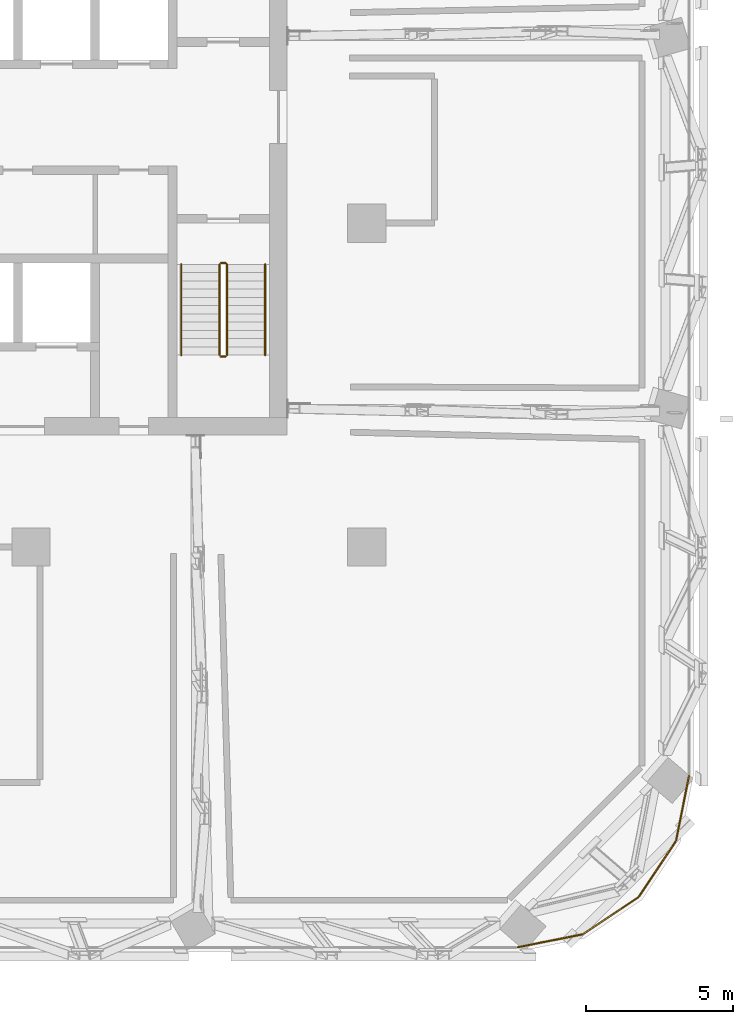
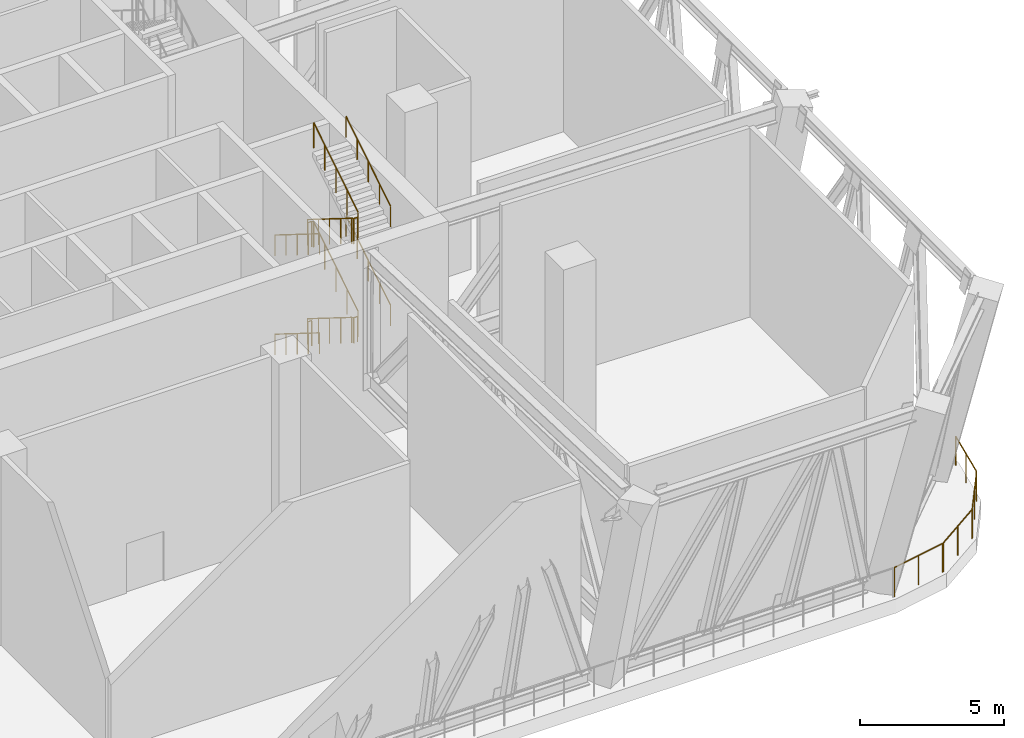
# One storey, part 20 of 24: 13 railings.
"""IFC4 building model written with IfcOpenShell, lengths in metres."""

from ifc_helpers import new_model, si_unit, direction, frame, origin, origin_2d, place, context, subcontext, project, spatial, circle, extrude, material, type_object, element, save


model = new_model("IFC4")

# Units and contexts
model_context = context("Model", 3, precision=1e-05, world=origin(), true_north=direction((0.0, 1.0)))
body_context = subcontext(model_context, "Body", "Model", "MODEL_VIEW")
ifc_project = project(units=[si_unit("LENGTHUNIT", "METRE"), si_unit("AREAUNIT", "SQUARE_METRE"), si_unit("VOLUMEUNIT", "CUBIC_METRE"), si_unit("PLANEANGLEUNIT", "RADIAN"), si_unit("MASSUNIT", "GRAM", prefix="KILO")], contexts=[model_context])

# Site, building, storey
site_placement = place(None, origin())
site = spatial("IfcSite", under=ifc_project, at=site_placement, CompositionType="ELEMENT")
building_placement = place(site_placement, origin())
building = spatial("IfcBuilding", under=site, at=building_placement, Name="Mopane Tessera Tower", CompositionType="ELEMENT")
storey_placement = place(building_placement, frame((0.0, 0.0, 259.0)))
storey = spatial("IfcBuildingStorey", under=building, at=storey_placement, Name="L56", CompositionType="ELEMENT", Elevation=259.0)

# Railings
ifc_material_1 = material(Name="Powder-coated steel balustrade", Category="steel")
railing_type_1 = type_object("IfcRailingType", Name="Escape stair guard 1100 mm", PredefinedType="GUARDRAIL", material=ifc_material_1)
railing_1_placement = place(storey_placement, frame((12.10009765625, -1.39990234375, 0.175048828125)))
element("IfcRailing", 1, at=railing_1_placement, inside=storey, type_object=railing_type_1, Name="L56 ST3 stair guard 1", PredefinedType="GUARDRAIL", context=body_context, shape_type="SweptSolid", body=[
    extrude(circle(Radius=0.02392578125, at=origin_2d()), frame((0.0, 0.0, 1.076171875), z_axis=(0.0, -0.847998304005, 0.529998940003), x_axis=(1.0, 0.0, 0.0)), (0.0, 0.0, 1.0), 3.632080078125),
    extrude(circle(Radius=0.02392578125, at=origin_2d()), frame((0.0, -3.080078125, 3.0009765625), z_axis=(0.705375805398, -0.708833529934, 0.0), x_axis=(0.708833529934, 0.705375805398, 0.0)), (0.0, 0.0, 1.0), 0.070556640625),
    extrude(circle(Radius=0.02392578125, at=origin_2d()), frame((0.0498046875, -3.130126953125, 3.0009765625), z_axis=(1.0, 0.0, 0.0), x_axis=(0.0, 1.0, 0.0)), (0.0, 0.0, 1.0), 0.150146484375),
    extrude(circle(Radius=0.02099609375, at=origin_2d()), origin(), (0.0, 0.0, 1.0), 1.052001953125),
    extrude(circle(Radius=0.02099609375, at=origin_2d()), frame((0.0, -0.77001953125, 0.481201171875)), (0.0, 0.0, 1.0), 1.052001953125),
    extrude(circle(Radius=0.02099609375, at=origin_2d()), frame((0.0, -1.5400390625, 0.96240234375)), (0.0, 0.0, 1.0), 1.052001953125),
    extrude(circle(Radius=0.02099609375, at=origin_2d()), frame((0.0, -2.31005859375, 1.44384765625)), (0.0, 0.0, 1.0), 1.052001953125),
    extrude(circle(Radius=0.02099609375, at=origin_2d()), frame((0.0, -3.080078125, 1.925048828125)), (0.0, 0.0, 1.0), 1.052001953125),
    extrude(circle(Radius=0.02099609375, at=origin_2d()), frame((0.0498046875, -3.130126953125, 1.925048828125)), (0.0, 0.0, 1.0), 1.052001953125),
    extrude(circle(Radius=0.02099609375, at=origin_2d()), frame((0.199951171875, -3.130126953125, 1.925048828125)), (0.0, 0.0, 1.0), 1.052001953125),
])
railing_2_placement = place(storey_placement, frame((12.35009765625, -4.47998046875, 2.27490234375)))
element("IfcRailing", 2, at=railing_2_placement, inside=storey, type_object=railing_type_1, Name="L56 ST3 stair guard 2", PredefinedType="GUARDRAIL", context=body_context, shape_type="SweptSolid", body=[
    extrude(circle(Radius=0.02392578125, at=origin_2d()), frame((0.0, 0.0, 1.076171875), z_axis=(0.0, 0.847998304005, 0.529998940003), x_axis=(-1.0, 0.0, 0.0)), (0.0, 0.0, 1.0), 3.632080078125),
    extrude(circle(Radius=0.02392578125, at=origin_2d()), frame((0.0, 3.080078125, 3.0009765625), z_axis=(-0.708833529934, 0.705375805398, 0.0), x_axis=(-0.705375805398, -0.708833529934, 0.0)), (0.0, 0.0, 1.0), 0.070556640625),
    extrude(circle(Radius=0.02392578125, at=origin_2d()), frame((-0.050048828125, 3.1298828125, 3.0009765625), z_axis=(-1.0, 0.0, 0.0), x_axis=(0.0, -1.0, 0.0)), (0.0, 0.0, 1.0), 0.150146484375),
    extrude(circle(Radius=0.02099609375, at=origin_2d()), origin(), (0.0, 0.0, 1.0), 1.052001953125),
    extrude(circle(Radius=0.02099609375, at=origin_2d()), frame((0.0, 0.77001953125, 0.481201171875)), (0.0, 0.0, 1.0), 1.052001953125),
    extrude(circle(Radius=0.02099609375, at=origin_2d()), frame((0.0, 1.5400390625, 0.96240234375)), (0.0, 0.0, 1.0), 1.052001953125),
    extrude(circle(Radius=0.02099609375, at=origin_2d()), frame((0.0, 2.31005859375, 1.44384765625)), (0.0, 0.0, 1.0), 1.052001953125),
    extrude(circle(Radius=0.02099609375, at=origin_2d()), frame((0.0, 3.080078125, 1.925048828125)), (0.0, 0.0, 1.0), 1.052001953125),
    extrude(circle(Radius=0.02099609375, at=origin_2d()), frame((-0.050048828125, 3.1298828125, 1.925048828125)), (0.0, 0.0, 1.0), 1.052001953125),
    extrude(circle(Radius=0.02099609375, at=origin_2d()), frame((-0.2001953125, 3.1298828125, 1.925048828125)), (0.0, 0.0, 1.0), 1.052001953125),
])
railing_3_placement = place(storey_placement, frame((12.10009765625, -1.39990234375, 4.375)))
element("IfcRailing", 3, at=railing_3_placement, inside=storey, type_object=railing_type_1, Name="L56 ST3 stair guard 3", PredefinedType="GUARDRAIL", context=body_context, shape_type="SweptSolid", body=[
    extrude(circle(Radius=0.02392578125, at=origin_2d()), frame((0.0, 0.0, 1.076171875), z_axis=(0.0, -0.847998304005, 0.529998940003), x_axis=(1.0, 0.0, 0.0)), (0.0, 0.0, 1.0), 3.632080078125),
    extrude(circle(Radius=0.02392578125, at=origin_2d()), frame((0.0, -3.080078125, 3.0009765625), z_axis=(0.705375805398, -0.708833529934, 0.0), x_axis=(0.708833529934, 0.705375805398, 0.0)), (0.0, 0.0, 1.0), 0.070556640625),
    extrude(circle(Radius=0.02392578125, at=origin_2d()), frame((0.0498046875, -3.130126953125, 3.0009765625), z_axis=(1.0, 0.0, 0.0), x_axis=(0.0, 1.0, 0.0)), (0.0, 0.0, 1.0), 0.150146484375),
    extrude(circle(Radius=0.02099609375, at=origin_2d()), origin(), (0.0, 0.0, 1.0), 1.052001953125),
    extrude(circle(Radius=0.02099609375, at=origin_2d()), frame((0.0, -0.77001953125, 0.481201171875)), (0.0, 0.0, 1.0), 1.052001953125),
    extrude(circle(Radius=0.02099609375, at=origin_2d()), frame((0.0, -1.5400390625, 0.96240234375)), (0.0, 0.0, 1.0), 1.052001953125),
    extrude(circle(Radius=0.02099609375, at=origin_2d()), frame((0.0, -2.31005859375, 1.44384765625)), (0.0, 0.0, 1.0), 1.052001953125),
    extrude(circle(Radius=0.02099609375, at=origin_2d()), frame((0.0, -3.080078125, 1.925048828125)), (0.0, 0.0, 1.0), 1.052001953125),
    extrude(circle(Radius=0.02099609375, at=origin_2d()), frame((0.0498046875, -3.130126953125, 1.925048828125)), (0.0, 0.0, 1.0), 1.052001953125),
    extrude(circle(Radius=0.02099609375, at=origin_2d()), frame((0.199951171875, -3.130126953125, 1.925048828125)), (0.0, 0.0, 1.0), 1.052001953125),
])
railing_4_placement = place(storey_placement, frame((12.35009765625, -4.47998046875, 6.47509765625)))
element("IfcRailing", 4, at=railing_4_placement, inside=storey, type_object=railing_type_1, Name="L56 ST3 stair guard 4", PredefinedType="GUARDRAIL", context=body_context, shape_type="SweptSolid", body=[
    extrude(circle(Radius=0.02392578125, at=origin_2d()), frame((0.0, 0.0, 1.076171875), z_axis=(0.0, 0.848028513186, 0.529950602248), x_axis=(-1.0, 0.0, 0.0)), (0.0, 0.0, 1.0), 3.632080078125),
    extrude(circle(Radius=0.02099609375, at=origin_2d()), origin(), (0.0, 0.0, 1.0), 1.052001953125),
    extrude(circle(Radius=0.02099609375, at=origin_2d()), frame((0.0, 0.77001953125, 0.481201171875)), (0.0, 0.0, 1.0), 1.052001953125),
    extrude(circle(Radius=0.02099609375, at=origin_2d()), frame((0.0, 1.5400390625, 0.96240234375)), (0.0, 0.0, 1.0), 1.052001953125),
    extrude(circle(Radius=0.02099609375, at=origin_2d()), frame((0.0, 2.31005859375, 1.443603515625)), (0.0, 0.0, 1.0), 1.052001953125),
    extrude(circle(Radius=0.02099609375, at=origin_2d()), frame((0.0, 3.080078125, 1.9248046875)), (0.0, 0.0, 1.0), 1.052001953125),
])
railing_5_placement = place(storey_placement, frame((12.14990234375, -1.35009765625, 0.0)))
element("IfcRailing", 5, at=railing_5_placement, inside=storey, type_object=railing_type_1, Name="L56 ST3 stair guard 5", PredefinedType="GUARDRAIL", context=body_context, shape_type="SweptSolid", body=[
    extrude(circle(Radius=0.02392578125, at=origin_2d()), frame((0.0, 0.0, 1.076171875), z_axis=(1.0, 0.0, 0.0), x_axis=(0.0, 1.0, 0.0)), (0.0, 0.0, 1.0), 0.150146484375),
    extrude(circle(Radius=0.02099609375, at=origin_2d()), origin(), (0.0, 0.0, 1.0), 1.052001953125),
    extrude(circle(Radius=0.02099609375, at=origin_2d()), frame((0.150146484375, 0.0, 0.0)), (0.0, 0.0, 1.0), 1.052001953125),
])
ifc_material_2 = material(Name="Powder-coated steel balustrade", Category="steel")
railing_type_2 = type_object("IfcRailingType", Name="Escape stair handrail 900 mm", PredefinedType="HANDRAIL", material=ifc_material_2)
railing_6_placement = place(storey_placement, frame((10.800048828125, -1.39990234375, 0.175048828125)))
element("IfcRailing", 6, at=railing_6_placement, inside=storey, type_object=railing_type_2, Name="L56 ST3 stair handrail 1", PredefinedType="HANDRAIL", context=body_context, shape_type="SweptSolid", body=[
    extrude(circle(Radius=0.02392578125, at=origin_2d()), frame((0.0, 0.0, 0.8759765625), z_axis=(0.0, -0.847998304005, 0.529998940003), x_axis=(1.0, 0.0, 0.0)), (0.0, 0.0, 1.0), 3.632080078125),
    extrude(circle(Radius=0.02099609375, at=origin_2d()), origin(), (0.0, 0.0, 1.0), 0.851806640625),
    extrude(circle(Radius=0.02099609375, at=origin_2d()), frame((0.0, -0.77001953125, 0.481201171875)), (0.0, 0.0, 1.0), 0.851806640625),
    extrude(circle(Radius=0.02099609375, at=origin_2d()), frame((0.0, -1.5400390625, 0.96240234375)), (0.0, 0.0, 1.0), 0.851806640625),
    extrude(circle(Radius=0.02099609375, at=origin_2d()), frame((0.0, -2.31005859375, 1.44384765625)), (0.0, 0.0, 1.0), 0.851806640625),
    extrude(circle(Radius=0.02099609375, at=origin_2d()), frame((0.0, -3.080078125, 1.925048828125)), (0.0, 0.0, 1.0), 0.851806640625),
])
railing_7_placement = place(storey_placement, frame((13.64990234375, -4.47998046875, 2.27490234375)))
element("IfcRailing", 7, at=railing_7_placement, inside=storey, type_object=railing_type_2, Name="L56 ST3 stair handrail 2", PredefinedType="HANDRAIL", context=body_context, shape_type="SweptSolid", body=[
    extrude(circle(Radius=0.02392578125, at=origin_2d()), frame((0.0, 0.0, 0.8759765625), z_axis=(0.0, 0.847998304005, 0.529998940003), x_axis=(-1.0, 0.0, 0.0)), (0.0, 0.0, 1.0), 3.632080078125),
    extrude(circle(Radius=0.02099609375, at=origin_2d()), origin(), (0.0, 0.0, 1.0), 0.851806640625),
    extrude(circle(Radius=0.02099609375, at=origin_2d()), frame((0.0, 0.77001953125, 0.481201171875)), (0.0, 0.0, 1.0), 0.851806640625),
    extrude(circle(Radius=0.02099609375, at=origin_2d()), frame((0.0, 1.5400390625, 0.96240234375)), (0.0, 0.0, 1.0), 0.851806640625),
    extrude(circle(Radius=0.02099609375, at=origin_2d()), frame((0.0, 2.31005859375, 1.44384765625)), (0.0, 0.0, 1.0), 0.851806640625),
    extrude(circle(Radius=0.02099609375, at=origin_2d()), frame((0.0, 3.080078125, 1.925048828125)), (0.0, 0.0, 1.0), 0.851806640625),
])
railing_8_placement = place(storey_placement, frame((10.800048828125, -1.39990234375, 4.375)))
element("IfcRailing", 8, at=railing_8_placement, inside=storey, type_object=railing_type_2, Name="L56 ST3 stair handrail 3", PredefinedType="HANDRAIL", context=body_context, shape_type="SweptSolid", body=[
    extrude(circle(Radius=0.02392578125, at=origin_2d()), frame((0.0, 0.0, 0.8759765625), z_axis=(0.0, -0.847998304005, 0.529998940003), x_axis=(1.0, 0.0, 0.0)), (0.0, 0.0, 1.0), 3.632080078125),
    extrude(circle(Radius=0.02099609375, at=origin_2d()), origin(), (0.0, 0.0, 1.0), 0.851806640625),
    extrude(circle(Radius=0.02099609375, at=origin_2d()), frame((0.0, -0.77001953125, 0.481201171875)), (0.0, 0.0, 1.0), 0.851806640625),
    extrude(circle(Radius=0.02099609375, at=origin_2d()), frame((0.0, -1.5400390625, 0.96240234375)), (0.0, 0.0, 1.0), 0.851806640625),
    extrude(circle(Radius=0.02099609375, at=origin_2d()), frame((0.0, -2.31005859375, 1.44384765625)), (0.0, 0.0, 1.0), 0.851806640625),
    extrude(circle(Radius=0.02099609375, at=origin_2d()), frame((0.0, -3.080078125, 1.925048828125)), (0.0, 0.0, 1.0), 0.851806640625),
])
railing_9_placement = place(storey_placement, frame((13.64990234375, -4.47998046875, 6.47509765625)))
element("IfcRailing", 9, at=railing_9_placement, inside=storey, type_object=railing_type_2, Name="L56 ST3 stair handrail 4", PredefinedType="HANDRAIL", context=body_context, shape_type="SweptSolid", body=[
    extrude(circle(Radius=0.02392578125, at=origin_2d()), frame((0.0, 0.0, 0.8759765625), z_axis=(0.0, 0.848028513186, 0.529950602248), x_axis=(-1.0, 0.0, 0.0)), (0.0, 0.0, 1.0), 3.632080078125),
    extrude(circle(Radius=0.02099609375, at=origin_2d()), origin(), (0.0, 0.0, 1.0), 0.851806640625),
    extrude(circle(Radius=0.02099609375, at=origin_2d()), frame((0.0, 0.77001953125, 0.481201171875)), (0.0, 0.0, 1.0), 0.851806640625),
    extrude(circle(Radius=0.02099609375, at=origin_2d()), frame((0.0, 1.5400390625, 0.96240234375)), (0.0, 0.0, 1.0), 0.851806640625),
    extrude(circle(Radius=0.02099609375, at=origin_2d()), frame((0.0, 2.31005859375, 1.443603515625)), (0.0, 0.0, 1.0), 0.851806640625),
    extrude(circle(Radius=0.02099609375, at=origin_2d()), frame((0.0, 3.080078125, 1.9248046875)), (0.0, 0.0, 1.0), 0.851806640625),
])
ifc_material_3 = material(Name="Stainless steel S316", Category="steel")
railing_type_3 = type_object("IfcRailingType", Name="Wind floor guard 1250", PredefinedType="GUARDRAIL", material=ifc_material_3)
railing_10_placement = place(storey_placement, frame((22.2294921875, -24.59423828125, 0.0)))
element("IfcRailing", 10, at=railing_10_placement, inside=storey, type_object=railing_type_3, Name="e:og:L56:1", PredefinedType="GUARDRAIL", context=body_context, shape_type="SweptSolid", body=[
    extrude(circle(Radius=0.02392578125, at=origin_2d()), frame((0.0, 0.0, 1.22607421875), z_axis=(0.980782960085, 0.195101986683, 0.0), x_axis=(-0.195101986683, 0.980782960085, 0.0)), (0.0, 0.0, 1.0), 2.222412109375),
    extrude(circle(Radius=0.02099609375, at=origin_2d()), origin(), (0.0, 0.0, 1.0), 1.201904296875),
    extrude(circle(Radius=0.02099609375, at=origin_2d()), frame((1.08984375, 0.216796875, 0.0)), (0.0, 0.0, 1.0), 1.201904296875),
    extrude(circle(Radius=0.02099609375, at=origin_2d()), frame((2.1796875, 0.43359375, 0.0)), (0.0, 0.0, 1.0), 1.201904296875),
])
railing_11_placement = place(storey_placement, frame((24.463623046875, -24.137939453125, 0.0)))
element("IfcRailing", 11, at=railing_11_placement, inside=storey, type_object=railing_type_3, Name="e:og:L56:2", PredefinedType="GUARDRAIL", context=body_context, shape_type="SweptSolid", body=[
    extrude(circle(Radius=0.02392578125, at=origin_2d()), frame((0.0, 0.0, 1.22607421875), z_axis=(0.831492148611, 0.55553650357, 0.0), x_axis=(-0.55553650357, 0.831492148611, 0.0)), (0.0, 0.0, 1.0), 2.222412109375),
    extrude(circle(Radius=0.02099609375, at=origin_2d()), origin(), (0.0, 0.0, 1.0), 1.201904296875),
    extrude(circle(Radius=0.02099609375, at=origin_2d()), frame((0.923828125, 0.6171875, 0.0)), (0.0, 0.0, 1.0), 1.201904296875),
    extrude(circle(Radius=0.02099609375, at=origin_2d()), frame((1.847900390625, 1.234619140625, 0.0)), (0.0, 0.0, 1.0), 1.201904296875),
])
railing_12_placement = place(storey_placement, frame((26.353271484375, -22.861572265625, 0.0)))
element("IfcRailing", 12, at=railing_12_placement, inside=storey, type_object=railing_type_3, Name="e:og:L56:3", PredefinedType="GUARDRAIL", context=body_context, shape_type="SweptSolid", body=[
    extrude(circle(Radius=0.02392578125, at=origin_2d()), frame((0.0, 0.0, 1.22607421875), z_axis=(0.555612448047, 0.831441403573, 0.0), x_axis=(-0.831441403573, 0.555612448047, 0.0)), (0.0, 0.0, 1.0), 2.222412109375),
    extrude(circle(Radius=0.02099609375, at=origin_2d()), origin(), (0.0, 0.0, 1.0), 1.201904296875),
    extrude(circle(Radius=0.02099609375, at=origin_2d()), frame((0.617431640625, 0.923828125, 0.0)), (0.0, 0.0, 1.0), 1.201904296875),
    extrude(circle(Radius=0.02099609375, at=origin_2d()), frame((1.23486328125, 1.847900390625, 0.0)), (0.0, 0.0, 1.0), 1.201904296875),
])
railing_13_placement = place(storey_placement, frame((27.610595703125, -20.959228515625, 0.0)))
element("IfcRailing", 13, at=railing_13_placement, inside=storey, type_object=railing_type_3, Name="e:og:L56:4", PredefinedType="GUARDRAIL", context=body_context, shape_type="SweptSolid", body=[
    extrude(circle(Radius=0.02392578125, at=origin_2d()), frame((0.0, 0.0, 1.22607421875), z_axis=(0.195101986683, 0.980782960085, 0.0), x_axis=(-0.980782960085, 0.195101986683, 0.0)), (0.0, 0.0, 1.0), 2.222412109375),
    extrude(circle(Radius=0.02099609375, at=origin_2d()), origin(), (0.0, 0.0, 1.0), 1.201904296875),
    extrude(circle(Radius=0.02099609375, at=origin_2d()), frame((0.216796875, 1.08984375, 0.0)), (0.0, 0.0, 1.0), 1.201904296875),
    extrude(circle(Radius=0.02099609375, at=origin_2d()), frame((0.43359375, 2.1796875, 0.0)), (0.0, 0.0, 1.0), 1.201904296875),
])

save(model, "model.ifc")
